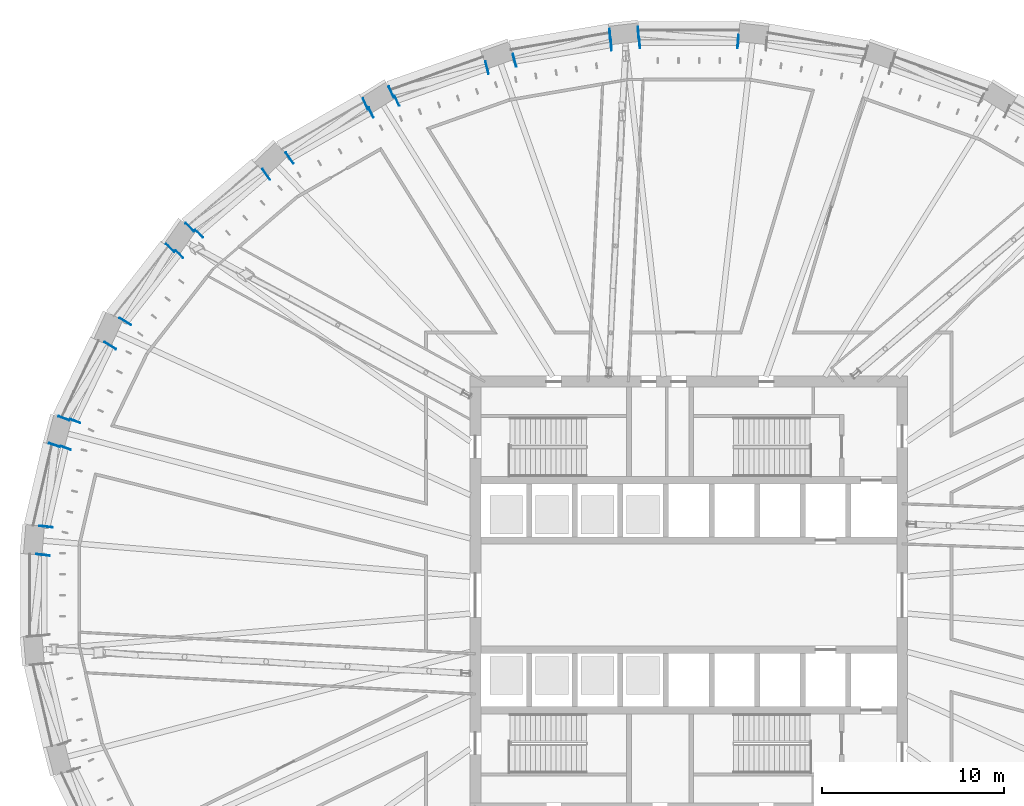
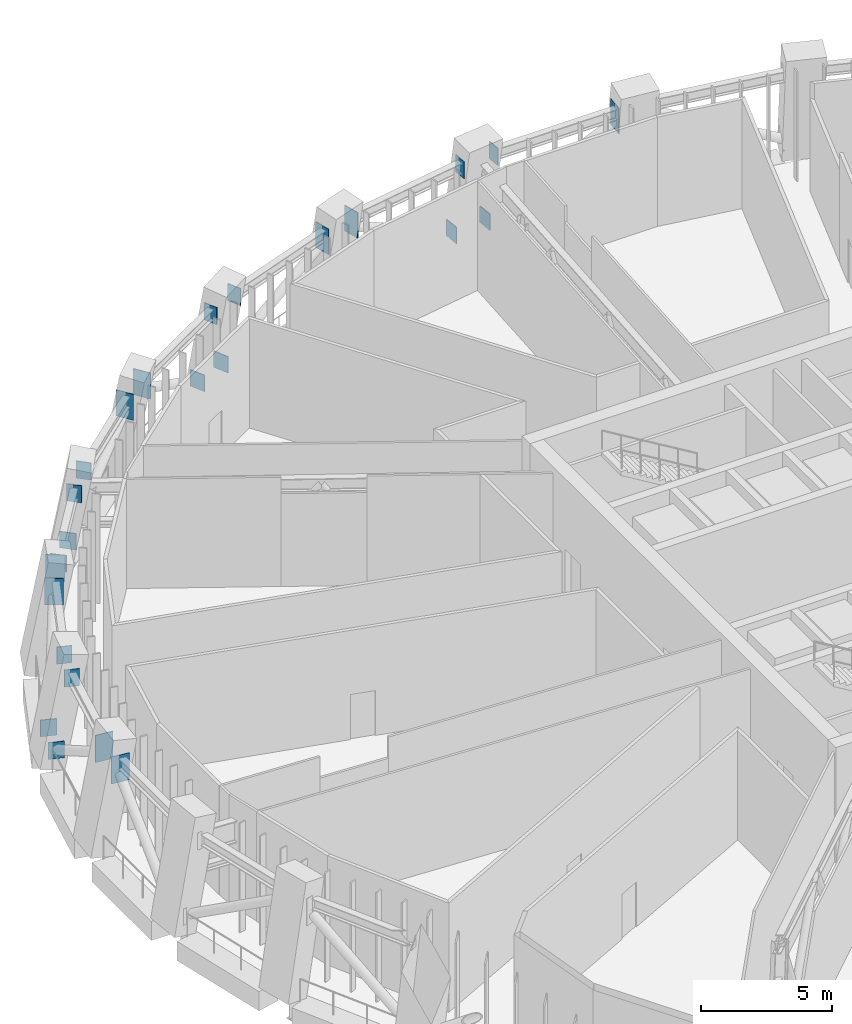
# One storey, part 15 of 22: 25 discrete accessories.
"""IFC4 building model written with IfcOpenShell, lengths in metres."""

from ifc_helpers import new_model, si_unit, direction, frame, origin, origin_2d, place, context, subcontext, project, spatial, rectangle, extrude, material, layer, layer_set, type_object, element, save


model = new_model("IFC4")

# Units and contexts
model_context = context("Model", 3, precision=1e-05, world=origin(), true_north=direction((0.0, 1.0)))
body_context = subcontext(model_context, "Body", "Model", "MODEL_VIEW")
ifc_project = project(units=[si_unit("LENGTHUNIT", "METRE"), si_unit("AREAUNIT", "SQUARE_METRE"), si_unit("VOLUMEUNIT", "CUBIC_METRE"), si_unit("PLANEANGLEUNIT", "RADIAN"), si_unit("MASSUNIT", "GRAM", prefix="KILO")], contexts=[model_context])

# Site, building, storey
site_placement = place(None, origin())
site = spatial("IfcSite", under=ifc_project, at=site_placement, CompositionType="ELEMENT")
building_placement = place(site_placement, origin())
building = spatial("IfcBuilding", under=site, at=building_placement, Name="Halqa Exchange Tower", CompositionType="ELEMENT")
storey_placement = place(building_placement, frame((0.0, 0.0, 99.10009765625)))
storey = spatial("IfcBuildingStorey", under=building, at=storey_placement, Name="L22", CompositionType="ELEMENT", Elevation=99.10009765625)

# Discrete accessories
ifc_material = material(Name="Steel S355", Category="steel")
ifc_layer = layer(ifc_material, 0.0400390625)
ifc_layer_set = layer_set([ifc_layer], Name="Steel S355")
discrete_accessory_type = type_object("IfcDiscreteAccessoryType", Name="Belt truss anchor plate 40", PredefinedType="ANCHORPLATE", material=ifc_layer_set)
discrete_accessory_1_placement = place(storey_placement, frame((2.72216796875, 30.342041015625, 4.0546875), z_axis=(-0.996872997497, 0.079020420533, 0.0), x_axis=(-0.079020420533, -0.996872997497, 0.0)))
element("IfcDiscreteAccessory", 1, at=discrete_accessory_1_placement, inside=storey, type_object=discrete_accessory_type, Name="Belt truss anchor plate", PredefinedType="ANCHORPLATE", context=body_context, shape_type="SweptSolid", body=[
    extrude(rectangle(XDim=0.718017578125, YDim=1.19091796875, at=origin_2d()), origin(), (0.0, 0.0, 1.0), 0.040283203125),
])
for number, where, z_axis, x_axis, name in (
    (2, (-4.231689453125, 30.15478515625, 4.25), (-0.996834694212, -0.079502153526, 0.0), (0.079502153526, -0.996834694212, 0.0), "Belt truss anchor plate"),
    (3, (-2.717041015625, 30.282958984375, 4.25), (0.996331773833, 0.085574508182, 0.0), (-0.085574508182, 0.996331773833, 0.0), "Belt truss anchor plate"),
):
    element("IfcDiscreteAccessory", number, at=place(storey_placement, frame(where, z_axis=z_axis, x_axis=x_axis)), inside=storey, type_object=discrete_accessory_type, Name=name, PredefinedType="ANCHORPLATE", context=body_context, shape_type="SweptSolid", body=[
        extrude(rectangle(XDim=0.60009765625, YDim=0.800048828125, at=origin_2d()), origin(), (0.0, 0.0, 1.0), 0.0400390625),
    ])
discrete_accessory_2_placement = place(storey_placement, frame((-4.295166015625, 30.694091796875, 0.9208984375), z_axis=(-0.996376129781, -0.085056498884, 0.0), x_axis=(0.085056498884, -0.996376129781, 0.0)))
element("IfcDiscreteAccessory", 4, at=discrete_accessory_2_placement, inside=storey, type_object=discrete_accessory_type, Name="Belt truss anchor plate", PredefinedType="ANCHORPLATE", context=body_context, shape_type="SweptSolid", body=[
    extrude(rectangle(XDim=0.678955078125, YDim=0.760986328125, at=origin_2d()), origin(), (0.0, 0.0, 1.0), 0.040283203125),
])
discrete_accessory_3_placement = place(storey_placement, frame((-2.78076171875, 30.822509765625, 0.91650390625), z_axis=(0.996376129781, 0.085056498884, 0.0), x_axis=(-0.085056498884, 0.996376129781, 0.0)))
element("IfcDiscreteAccessory", 5, at=discrete_accessory_3_placement, inside=storey, type_object=discrete_accessory_type, Name="Belt truss anchor plate", PredefinedType="ANCHORPLATE", context=body_context, shape_type="SweptSolid", body=[
    extrude(rectangle(XDim=0.679931640625, YDim=0.760009765625, at=origin_2d()), origin(), (0.0, 0.0, 1.0), 0.040283203125),
])
discrete_accessory_4_placement = place(storey_placement, frame((-11.03955078125, 28.922119140625, 4.05224609375), z_axis=(-0.968324838627, -0.249693826313, 0.0), x_axis=(0.249693826313, -0.968324838627, 0.0)))
element("IfcDiscreteAccessory", 6, at=discrete_accessory_4_placement, inside=storey, type_object=discrete_accessory_type, Name="Belt truss anchor plate", PredefinedType="ANCHORPLATE", context=body_context, shape_type="SweptSolid", body=[
    extrude(rectangle(XDim=0.719970703125, YDim=1.195068359375, at=origin_2d()), origin(), (0.0, 0.0, 1.0), 0.0400390625),
])
discrete_accessory_5_placement = place(storey_placement, frame((-9.568603515625, 29.30517578125, 4.05224609375), z_axis=(0.968324838627, 0.249693826313, 0.0), x_axis=(-0.249693826313, 0.968324838627, 0.0)))
element("IfcDiscreteAccessory", 7, at=discrete_accessory_5_placement, inside=storey, type_object=discrete_accessory_type, Name="Belt truss anchor plate", PredefinedType="ANCHORPLATE", context=body_context, shape_type="SweptSolid", body=[
    extrude(rectangle(XDim=0.718994140625, YDim=1.195068359375, at=origin_2d()), origin(), (0.0, 0.0, 1.0), 0.0400390625),
])
discrete_accessory_6_placement = place(storey_placement, frame((-17.397705078125, 26.457275390625, 4.25), z_axis=(-0.906339528383, -0.42255018553, 0.0), x_axis=(0.42255018553, -0.906339528383, 0.0)))
element("IfcDiscreteAccessory", 8, at=discrete_accessory_6_placement, inside=storey, type_object=discrete_accessory_type, Name="Belt truss anchor plate", PredefinedType="ANCHORPLATE", context=body_context, shape_type="SweptSolid", body=[
    extrude(rectangle(XDim=0.60009765625, YDim=0.800048828125, at=origin_2d()), origin(), (0.0, 0.0, 1.0), 0.039794921875),
])
discrete_accessory_7_placement = place(storey_placement, frame((-16.016357421875, 27.091552734375, 4.25), z_axis=(0.90742390538, 0.420216439404, 0.0), x_axis=(-0.420216439404, 0.90742390538, 0.0)))
element("IfcDiscreteAccessory", 9, at=discrete_accessory_7_placement, inside=storey, type_object=discrete_accessory_type, Name="Belt truss anchor plate", PredefinedType="ANCHORPLATE", context=body_context, shape_type="SweptSolid", body=[
    extrude(rectangle(XDim=0.60009765625, YDim=0.800048828125, at=origin_2d()), origin(), (0.0, 0.0, 1.0), 0.0400390625),
])
discrete_accessory_8_placement = place(storey_placement, frame((-17.702392578125, 26.93310546875, 0.94091796875), z_axis=(-0.90742390538, -0.420216439404, 0.0), x_axis=(0.420216439404, -0.90742390538, 0.0)))
element("IfcDiscreteAccessory", 10, at=discrete_accessory_8_placement, inside=storey, type_object=discrete_accessory_type, Name="Belt truss anchor plate", PredefinedType="ANCHORPLATE", context=body_context, shape_type="SweptSolid", body=[
    extrude(rectangle(XDim=0.6689453125, YDim=0.76611328125, at=origin_2d()), origin(), (0.0, 0.0, 1.0), 0.0400390625),
])
discrete_accessory_9_placement = place(storey_placement, frame((-16.322021484375, 27.569091796875, 0.9208984375), z_axis=(0.91078189984, 0.412887794594, 0.0), x_axis=(-0.412887794594, 0.91078189984, 0.0)))
element("IfcDiscreteAccessory", 11, at=discrete_accessory_9_placement, inside=storey, type_object=discrete_accessory_type, Name="Belt truss anchor plate", PredefinedType="ANCHORPLATE", context=body_context, shape_type="SweptSolid", body=[
    extrude(rectangle(XDim=0.675048828125, YDim=0.760986328125, at=origin_2d()), origin(), (0.0, 0.0, 1.0), 0.040283203125),
])
discrete_accessory_10_placement = place(storey_placement, frame((-23.13818359375, 23.077392578125, 4.04150390625), z_axis=(-0.81865747399, -0.57428210862, 0.0), x_axis=(0.57428210862, -0.81865747399, 0.0)))
element("IfcDiscreteAccessory", 12, at=discrete_accessory_10_placement, inside=storey, type_object=discrete_accessory_type, Name="Belt truss anchor plate", PredefinedType="ANCHORPLATE", context=body_context, shape_type="SweptSolid", body=[
    extrude(rectangle(XDim=0.72705078125, YDim=1.217041015625, at=origin_2d()), origin(), (0.0, 0.0, 1.0), 0.0400390625),
])
discrete_accessory_11_placement = place(storey_placement, frame((-21.8955078125, 23.952880859375, 4.04150390625), z_axis=(0.81865747399, 0.57428210862, 0.0), x_axis=(-0.57428210862, 0.81865747399, 0.0)))
element("IfcDiscreteAccessory", 13, at=discrete_accessory_11_placement, inside=storey, type_object=discrete_accessory_type, Name="Belt truss anchor plate", PredefinedType="ANCHORPLATE", context=body_context, shape_type="SweptSolid", body=[
    extrude(rectangle(XDim=0.72509765625, YDim=1.217041015625, at=origin_2d()), origin(), (0.0, 0.0, 1.0), 0.0400390625),
])
discrete_accessory_12_placement = place(storey_placement, frame((-27.91259765625, 18.70166015625, 4.25), z_axis=(-0.68858929503, -0.725151558483, 0.0), x_axis=(0.725151558483, -0.68858929503, 0.0)))
element("IfcDiscreteAccessory", 14, at=discrete_accessory_12_placement, inside=storey, type_object=discrete_accessory_type, Name="Belt truss anchor plate", PredefinedType="ANCHORPLATE", context=body_context, shape_type="SweptSolid", body=[
    extrude(rectangle(XDim=0.60009765625, YDim=0.800048828125, at=origin_2d()), origin(), (0.0, 0.0, 1.0), 0.0400390625),
])
discrete_accessory_13_placement = place(storey_placement, frame((-26.863037109375, 19.80126953125, 4.25), z_axis=(0.691639439628, 0.722242954656, 0.0), x_axis=(-0.722242954656, 0.691639439628, 0.0)))
element("IfcDiscreteAccessory", 15, at=discrete_accessory_13_placement, inside=storey, type_object=discrete_accessory_type, Name="Belt truss anchor plate", PredefinedType="ANCHORPLATE", context=body_context, shape_type="SweptSolid", body=[
    extrude(rectangle(XDim=0.60009765625, YDim=0.800048828125, at=origin_2d()), origin(), (0.0, 0.0, 1.0), 0.039794921875),
])
discrete_accessory_14_placement = place(storey_placement, frame((-28.409912109375, 19.04150390625, 0.97021484375), z_axis=(-0.691639439628, -0.722242954656, 0.0), x_axis=(0.722242954656, -0.691639439628, 0.0)))
element("IfcDiscreteAccessory", 16, at=discrete_accessory_14_placement, inside=storey, type_object=discrete_accessory_type, Name="Belt truss anchor plate", PredefinedType="ANCHORPLATE", context=body_context, shape_type="SweptSolid", body=[
    extrude(rectangle(XDim=0.64990234375, YDim=0.77294921875, at=origin_2d()), origin(), (0.0, 0.0, 1.0), 0.039794921875),
])
discrete_accessory_15_placement = place(storey_placement, frame((-27.3623046875, 20.142822265625, 0.94189453125), z_axis=(0.691639439628, 0.722242954656, 0.0), x_axis=(-0.722242954656, 0.691639439628, 0.0)))
element("IfcDiscreteAccessory", 17, at=discrete_accessory_15_placement, inside=storey, type_object=discrete_accessory_type, Name="Belt truss anchor plate", PredefinedType="ANCHORPLATE", context=body_context, shape_type="SweptSolid", body=[
    extrude(rectangle(XDim=0.659912109375, YDim=0.76611328125, at=origin_2d()), origin(), (0.0, 0.0, 1.0), 0.039794921875),
])
discrete_accessory_16_placement = place(storey_placement, frame((-31.69970703125, 13.692138671875, 4.026611328125), z_axis=(-0.530546985787, -0.847655529016, 0.0), x_axis=(0.847655529016, -0.530546985787, 0.0)))
element("IfcDiscreteAccessory", 18, at=discrete_accessory_16_placement, inside=storey, type_object=discrete_accessory_type, Name="Belt truss anchor plate", PredefinedType="ANCHORPLATE", context=body_context, shape_type="SweptSolid", body=[
    extrude(rectangle(XDim=0.736083984375, YDim=1.2470703125, at=origin_2d()), origin(), (0.0, 0.0, 1.0), 0.0400390625),
])
discrete_accessory_17_placement = place(storey_placement, frame((-30.896484375, 14.982421875, 4.026611328125), z_axis=(0.530546985787, 0.847655529016, 0.0), x_axis=(-0.847655529016, 0.530546985787, 0.0)))
element("IfcDiscreteAccessory", 19, at=discrete_accessory_17_placement, inside=storey, type_object=discrete_accessory_type, Name="Belt truss anchor plate", PredefinedType="ANCHORPLATE", context=body_context, shape_type="SweptSolid", body=[
    extrude(rectangle(XDim=0.73388671875, YDim=1.2470703125, at=origin_2d()), origin(), (0.0, 0.0, 1.0), 0.0400390625),
])
for number, where, z_axis, x_axis, name in (
    (20, (-34.145263671875, 8.088134765625, 4.25), (-0.334409845171, -0.942427745481, 0.0), (0.942427745481, -0.334409845171, 0.0), "Belt truss anchor plate"),
    (21, (-33.6396484375, 9.521484375, 4.25), (0.328993186606, 0.944332294887, 0.0), (-0.944332294887, 0.328993186606, 0.0), "Belt truss anchor plate"),
):
    element("IfcDiscreteAccessory", number, at=place(storey_placement, frame(where, z_axis=z_axis, x_axis=x_axis)), inside=storey, type_object=discrete_accessory_type, Name=name, PredefinedType="ANCHORPLATE", context=body_context, shape_type="SweptSolid", body=[
        extrude(rectangle(XDim=0.60009765625, YDim=0.800048828125, at=origin_2d()), origin(), (0.0, 0.0, 1.0), 0.0400390625),
    ])
discrete_accessory_18_placement = place(storey_placement, frame((-34.7587890625, 8.242919921875, 0.990234375), z_axis=(-0.328993186606, -0.944332294887, 0.0), x_axis=(0.944332294887, -0.328993186606, 0.0)))
element("IfcDiscreteAccessory", 22, at=discrete_accessory_18_placement, inside=storey, type_object=discrete_accessory_type, Name="Belt truss anchor plate", PredefinedType="ANCHORPLATE", context=body_context, shape_type="SweptSolid", body=[
    extrude(rectangle(XDim=0.634033203125, YDim=0.778076171875, at=origin_2d()), origin(), (0.0, 0.0, 1.0), 0.0400390625),
])
discrete_accessory_19_placement = place(storey_placement, frame((-34.254638671875, 9.6767578125, 0.9716796875), z_axis=(0.334409845171, 0.942427745481, 0.0), x_axis=(-0.942427745481, 0.334409845171, 0.0)))
element("IfcDiscreteAccessory", 23, at=discrete_accessory_19_placement, inside=storey, type_object=discrete_accessory_type, Name="Belt truss anchor plate", PredefinedType="ANCHORPLATE", context=body_context, shape_type="SweptSolid", body=[
    extrude(rectangle(XDim=0.64111328125, YDim=0.77294921875, at=origin_2d()), origin(), (0.0, 0.0, 1.0), 0.0400390625),
])
discrete_accessory_20_placement = place(storey_placement, frame((-35.400390625, 2.2255859375, 4.0166015625), z_axis=(-0.115780500934, -0.993274823804, 0.0), x_axis=(0.993274823804, -0.115780500934, 0.0)))
element("IfcDiscreteAccessory", 24, at=discrete_accessory_20_placement, inside=storey, type_object=discrete_accessory_type, Name="Belt truss anchor plate", PredefinedType="ANCHORPLATE", context=body_context, shape_type="SweptSolid", body=[
    extrude(rectangle(XDim=0.741943359375, YDim=1.26611328125, at=origin_2d()), origin(), (0.0, 0.0, 1.0), 0.0400390625),
])
discrete_accessory_21_placement = place(storey_placement, frame((-35.227294921875, 3.735595703125, 4.0166015625), z_axis=(0.109762219212, 0.993957873973, 0.0), x_axis=(-0.993957873973, 0.109762219212, 0.0)))
element("IfcDiscreteAccessory", 25, at=discrete_accessory_21_placement, inside=storey, type_object=discrete_accessory_type, Name="Belt truss anchor plate", PredefinedType="ANCHORPLATE", context=body_context, shape_type="SweptSolid", body=[
    extrude(rectangle(XDim=0.740966796875, YDim=1.26611328125, at=origin_2d()), origin(), (0.0, 0.0, 1.0), 0.0400390625),
])

save(model, "model.ifc")
